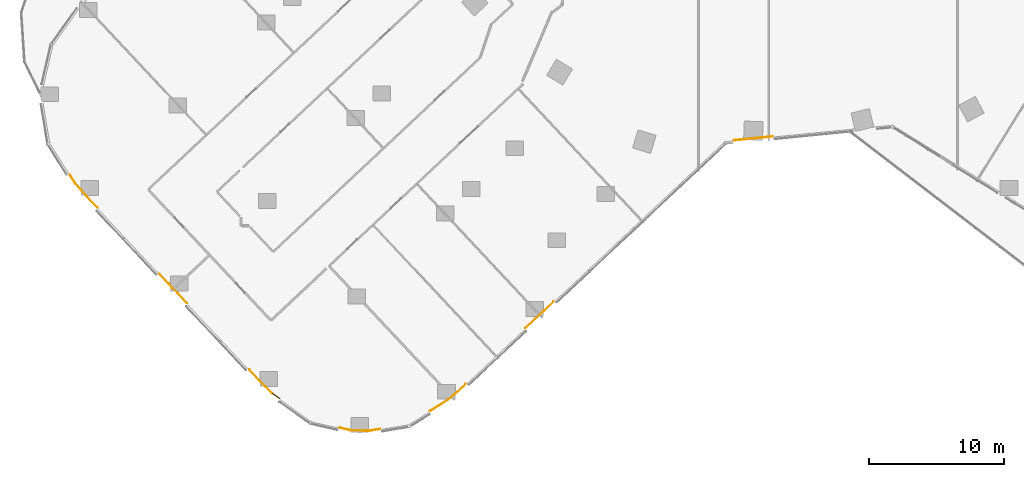
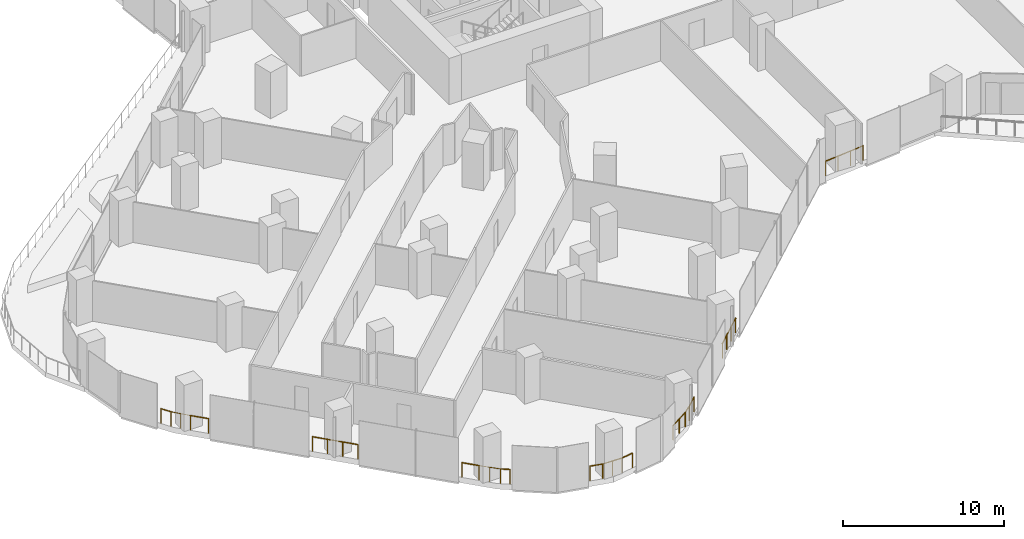
# One storey, part 30 of 34: 11 railings.
"""IFC4 building model written with IfcOpenShell, lengths in metres."""

from ifc_helpers import new_model, si_unit, direction, frame, origin, origin_2d, place, context, subcontext, project, spatial, circle, extrude, material, type_object, element, save


model = new_model("IFC4")

# Units and contexts
model_context = context("Model", 3, precision=1e-05, world=origin(), true_north=direction((0.0, 1.0)))
body_context = subcontext(model_context, "Body", "Model", "MODEL_VIEW")
ifc_project = project(units=[si_unit("LENGTHUNIT", "METRE"), si_unit("AREAUNIT", "SQUARE_METRE"), si_unit("VOLUMEUNIT", "CUBIC_METRE"), si_unit("PLANEANGLEUNIT", "RADIAN"), si_unit("MASSUNIT", "GRAM", prefix="KILO")], contexts=[model_context])

# Site, building, storey
site_placement = place(None, origin())
site = spatial("IfcSite", under=ifc_project, at=site_placement, CompositionType="ELEMENT")
building_placement = place(site_placement, origin())
building = spatial("IfcBuilding", under=site, at=building_placement, Name="Orlundy Tower", CompositionType="ELEMENT")
storey_placement = place(building_placement, frame((0.0, 0.0, 37.300048828125)))
storey = spatial("IfcBuildingStorey", under=building, at=storey_placement, Name="L07", CompositionType="ELEMENT", Elevation=37.300048828125)

# Railings
ifc_material = material(Name="Stainless steel bronze finish", Category="steel")
railing_type = type_object("IfcRailingType", Name="TG1 terrace guard", PredefinedType="GUARDRAIL", material=ifc_material)
railing_1_placement = place(storey_placement, frame((-22.451904296875, -48.426025390625, 0.0)))
element("IfcRailing", 1, at=railing_1_placement, inside=storey, type_object=railing_type, Name="Guard TG-L07-E01", PredefinedType="GUARDRAIL", context=body_context, shape_type="SweptSolid", body=[
    extrude(circle(Radius=0.02490234375, at=origin_2d()), frame((0.0, 0.0, 1.09521484375), z_axis=(-0.729328508424, -0.6841636696, 0.0), x_axis=(0.6841636696, -0.729328508424, 0.0)), (0.0, 0.0, 1.0), 1.021728515625),
    extrude(circle(Radius=0.02490234375, at=origin_2d()), frame((-0.7451171875, -0.698974609375, 1.09521484375), z_axis=(-0.773450277005, -0.633856978348, 0.0), x_axis=(0.633856978348, -0.773450277005, 0.0)), (0.0, 0.0, 1.0), 0.708251953125),
    extrude(circle(Radius=0.02490234375, at=origin_2d()), frame((-1.29296875, -1.14794921875, 1.09521484375), z_axis=(-0.848978661733, -0.528427130191, 0.0), x_axis=(0.528427130191, -0.848978661733, 0.0)), (0.0, 0.0, 1.0), 1.592529296875),
    extrude(circle(Radius=0.02001953125, at=origin_2d()), origin(), (0.0, 0.0, 1.0), 1.070068359375),
    extrude(circle(Radius=0.02001953125, at=origin_2d()), frame((-0.7451171875, -0.698974609375, 0.0)), (0.0, 0.0, 1.0), 1.070068359375),
    extrude(circle(Radius=0.02001953125, at=origin_2d()), frame((-1.29296875, -1.14794921875, 0.0)), (0.0, 0.0, 1.0), 1.070068359375),
    extrude(circle(Radius=0.02001953125, at=origin_2d()), frame((-1.968994140625, -1.56884765625, 0.0)), (0.0, 0.0, 1.0), 1.070068359375),
    extrude(circle(Radius=0.02001953125, at=origin_2d()), frame((-2.64501953125, -1.989501953125, 0.0)), (0.0, 0.0, 1.0), 1.070068359375),
])
railing_2_placement = place(storey_placement, frame((-28.797119140625, -51.7509765625, 0.0)))
element("IfcRailing", 2, at=railing_2_placement, inside=storey, type_object=railing_type, Name="Guard TG-L07-E06", PredefinedType="GUARDRAIL", context=body_context, shape_type="SweptSolid", body=[
    extrude(circle(Radius=0.02490234375, at=origin_2d()), frame((0.0, 0.0, 1.09521484375), z_axis=(-0.986488810157, -0.163828652667, 0.0), x_axis=(0.163828652667, -0.986488810157, 0.0)), (0.0, 0.0, 1.0), 0.8330078125),
    extrude(circle(Radius=0.02490234375, at=origin_2d()), frame((-0.82177734375, -0.136474609375, 1.09521484375), z_axis=(-0.999608170102, 0.027991181931, 0.0), x_axis=(-0.027991181931, -0.999608170102, 0.0)), (0.0, 0.0, 1.0), 1.360595703125),
    extrude(circle(Radius=0.02490234375, at=origin_2d()), frame((-2.181884765625, -0.098388671875, 1.09521484375), z_axis=(-0.974044120584, 0.226358236331, 0.0), x_axis=(-0.226358236331, -0.974044120584, 0.0)), (0.0, 0.0, 1.0), 0.832763671875),
    extrude(circle(Radius=0.02001953125, at=origin_2d()), origin(), (0.0, 0.0, 1.0), 1.070068359375),
    extrude(circle(Radius=0.02001953125, at=origin_2d()), frame((-0.82177734375, -0.136474609375, 0.0)), (0.0, 0.0, 1.0), 1.070068359375),
    extrude(circle(Radius=0.02001953125, at=origin_2d()), frame((-1.501953125, -0.117431640625, 0.0)), (0.0, 0.0, 1.0), 1.070068359375),
    extrude(circle(Radius=0.02001953125, at=origin_2d()), frame((-2.181884765625, -0.098388671875, 0.0)), (0.0, 0.0, 1.0), 1.070068359375),
    extrude(circle(Radius=0.02001953125, at=origin_2d()), frame((-2.992919921875, 0.090087890625, 0.0)), (0.0, 0.0, 1.0), 1.070068359375),
])
railing_3_placement = place(storey_placement, frame((-43.10693359375, -42.41796875, 0.0)))
element("IfcRailing", 3, at=railing_3_placement, inside=storey, type_object=railing_type, Name="Guard TG-L07-E010", PredefinedType="GUARDRAIL", context=body_context, shape_type="SweptSolid", body=[
    extrude(circle(Radius=0.02490234375, at=origin_2d()), frame((0.0, 0.0, 1.09521484375), z_axis=(-0.684155795313, 0.729335895003, 0.0), x_axis=(-0.729335895003, -0.684155795313, 0.0)), (0.0, 0.0, 1.0), 2.950439453125),
    extrude(circle(Radius=0.02001953125, at=origin_2d()), origin(), (0.0, 0.0, 1.0), 1.070068359375),
    extrude(circle(Radius=0.02001953125, at=origin_2d()), frame((-0.6728515625, 0.71728515625, 0.0)), (0.0, 0.0, 1.0), 1.070068359375),
    extrude(circle(Radius=0.02001953125, at=origin_2d()), frame((-1.345703125, 1.4345703125, 0.0)), (0.0, 0.0, 1.0), 1.070068359375),
    extrude(circle(Radius=0.02001953125, at=origin_2d()), frame((-2.0185546875, 2.15185546875, 0.0)), (0.0, 0.0, 1.0), 1.070068359375),
])
railing_4_placement = place(storey_placement, frame((0.275390625, -30.080078125, 0.0)))
element("IfcRailing", 4, at=railing_4_placement, inside=storey, type_object=railing_type, Name="Guard TG-L07-E012", PredefinedType="GUARDRAIL", context=body_context, shape_type="SweptSolid", body=[
    extrude(circle(Radius=0.02490234375, at=origin_2d()), frame((0.0, 0.0, 1.09521484375), z_axis=(-0.995119179181, -0.098680389272, 0.0), x_axis=(0.098680389272, -0.995119179181, 0.0)), (0.0, 0.0, 1.0), 2.87744140625),
    extrude(circle(Radius=0.02001953125, at=origin_2d()), origin(), (0.0, 0.0, 1.0), 1.070068359375),
    extrude(circle(Radius=0.02001953125, at=origin_2d()), frame((-0.954345703125, -0.0947265625, 0.0)), (0.0, 0.0, 1.0), 1.070068359375),
    extrude(circle(Radius=0.02001953125, at=origin_2d()), frame((-1.908935546875, -0.189208984375, 0.0)), (0.0, 0.0, 1.0), 1.070068359375),
    extrude(circle(Radius=0.02001953125, at=origin_2d()), frame((-2.86328125, -0.283935546875, 0.0)), (0.0, 0.0, 1.0), 1.070068359375),
])
railing_5_placement = place(storey_placement, frame((-15.930908203125, -42.309326171875, 0.0)))
element("IfcRailing", 5, at=railing_5_placement, inside=storey, type_object=railing_type, Name="Guard TG-L07-E013", PredefinedType="GUARDRAIL", context=body_context, shape_type="SweptSolid", body=[
    extrude(circle(Radius=0.02490234375, at=origin_2d()), frame((0.0, 0.0, 1.09521484375), z_axis=(-0.729350612959, -0.684140105078, 0.0), x_axis=(0.684140105078, -0.729350612959, 0.0)), (0.0, 0.0, 1.0), 2.856689453125),
    extrude(circle(Radius=0.02001953125, at=origin_2d()), origin(), (0.0, 0.0, 1.0), 1.070068359375),
    extrude(circle(Radius=0.02001953125, at=origin_2d()), frame((-0.694580078125, -0.6513671875, 0.0)), (0.0, 0.0, 1.0), 1.070068359375),
    extrude(circle(Radius=0.02001953125, at=origin_2d()), frame((-1.388916015625, -1.302978515625, 0.0)), (0.0, 0.0, 1.0), 1.070068359375),
    extrude(circle(Radius=0.02001953125, at=origin_2d()), frame((-2.08349609375, -1.954345703125, 0.0)), (0.0, 0.0, 1.0), 1.070068359375),
])
railing_6_placement = place(storey_placement, frame((-36.757080078125, -49.1318359375, 0.0)))
element("IfcRailing", 6, at=railing_6_placement, inside=storey, type_object=railing_type, Name="Guard TG-L07-E023", PredefinedType="GUARDRAIL", context=body_context, shape_type="SweptSolid", body=[
    extrude(circle(Radius=0.02490234375, at=origin_2d()), frame((0.0, 0.0, 1.09521484375), z_axis=(-0.703929614422, 0.710269736043, 0.0), x_axis=(-0.710269736043, -0.703929614422, 0.0)), (0.0, 0.0, 1.0), 1.38623046875),
    extrude(circle(Radius=0.02001953125, at=origin_2d()), origin(), (0.0, 0.0, 1.0), 1.070068359375),
    extrude(circle(Radius=0.02001953125, at=origin_2d()), frame((-0.48779296875, 0.4921875, 0.0)), (0.0, 0.0, 1.0), 1.070068359375),
    extrude(circle(Radius=0.02001953125, at=origin_2d()), frame((-0.975830078125, 0.984619140625, 0.0)), (0.0, 0.0, 1.0), 1.070068359375),
])
railing_7_placement = place(storey_placement, frame((-50.548828125, -34.48388671875, 0.0)))
element("IfcRailing", 7, at=railing_7_placement, inside=storey, type_object=railing_type, Name="Guard TG-L07-E024", PredefinedType="GUARDRAIL", context=body_context, shape_type="SweptSolid", body=[
    extrude(circle(Radius=0.02490234375, at=origin_2d()), frame((0.0, 0.0, 1.09521484375), z_axis=(-0.661711431746, 0.74975861522, 0.0), x_axis=(-0.74975861522, -0.661711431746, 0.0)), (0.0, 0.0, 1.0), 1.2587890625),
    extrude(circle(Radius=0.02001953125, at=origin_2d()), origin(), (0.0, 0.0, 1.0), 1.070068359375),
    extrude(circle(Radius=0.02001953125, at=origin_2d()), frame((-0.41650390625, 0.471923828125, 0.0)), (0.0, 0.0, 1.0), 1.070068359375),
    extrude(circle(Radius=0.02001953125, at=origin_2d()), frame((-0.8330078125, 0.94384765625, 0.0)), (0.0, 0.0, 1.0), 1.070068359375),
])
railing_8_placement = place(storey_placement, frame((-49.740234375, -35.34619140625, 0.0)))
element("IfcRailing", 8, at=railing_8_placement, inside=storey, type_object=railing_type, Name="Guard TG-L07-E025", PredefinedType="GUARDRAIL", context=body_context, shape_type="SweptSolid", body=[
    extrude(circle(Radius=0.02490234375, at=origin_2d()), frame((0.0, 0.0, 1.09521484375), z_axis=(-0.684023564307, 0.729459912177, 0.0), x_axis=(-0.729459912177, -0.684023564307, 0.0)), (0.0, 0.0, 1.0), 1.18212890625),
    extrude(circle(Radius=0.02001953125, at=origin_2d()), origin(), (0.0, 0.0, 1.0), 1.070068359375),
    extrude(circle(Radius=0.02001953125, at=origin_2d()), frame((-0.80859375, 0.8623046875, 0.0)), (0.0, 0.0, 1.0), 1.070068359375),
])
railing_9_placement = place(storey_placement, frame((-37.73291015625, -48.147216796875, 0.0)))
element("IfcRailing", 9, at=railing_9_placement, inside=storey, type_object=railing_type, Name="Guard TG-L07-E026", PredefinedType="GUARDRAIL", context=body_context, shape_type="SweptSolid", body=[
    extrude(circle(Radius=0.02490234375, at=origin_2d()), frame((0.0, 0.0, 1.09521484375), z_axis=(-0.684191187136, 0.72930269398, 0.0), x_axis=(-0.72930269398, -0.684191187136, 0.0)), (0.0, 0.0, 1.0), 1.10400390625),
    extrude(circle(Radius=0.02001953125, at=origin_2d()), origin(), (0.0, 0.0, 1.0), 1.070068359375),
    extrude(circle(Radius=0.02001953125, at=origin_2d()), frame((-0.75537109375, 0.80517578125, 0.0)), (0.0, 0.0, 1.0), 1.070068359375),
])
railing_10_placement = place(storey_placement, frame((-51.3818359375, -33.5400390625, 0.0)))
element("IfcRailing", 10, at=railing_10_placement, inside=storey, type_object=railing_type, Name="Guard TG-L07-E029", PredefinedType="GUARDRAIL", context=body_context, shape_type="SweptSolid", body=[
    extrude(circle(Radius=0.02490234375, at=origin_2d()), frame((0.0, 0.0, 1.09521484375), z_axis=(-0.528843469715, 0.848719379147, 0.0), x_axis=(-0.848719379147, -0.528843469715, 0.0)), (0.0, 0.0, 1.0), 0.721923828125),
    extrude(circle(Radius=0.02001953125, at=origin_2d()), origin(), (0.0, 0.0, 1.0), 1.070068359375),
    extrude(circle(Radius=0.02001953125, at=origin_2d()), frame((-0.3818359375, 0.61279296875, 0.0)), (0.0, 0.0, 1.0), 1.070068359375),
])
railing_11_placement = place(storey_placement, frame((-36.26025390625, -49.487548828125, 0.0)))
element("IfcRailing", 11, at=railing_11_placement, inside=storey, type_object=railing_type, Name="Guard TG-L07-E030", PredefinedType="GUARDRAIL", context=body_context, shape_type="SweptSolid", body=[
    extrude(circle(Radius=0.02490234375, at=origin_2d()), frame((0.0, 0.0, 1.09521484375), z_axis=(-0.813085046078, 0.582144919968, 0.0), x_axis=(-0.582144919968, -0.813085046078, 0.0)), (0.0, 0.0, 1.0), 0.611083984375),
    extrude(circle(Radius=0.02001953125, at=origin_2d()), origin(), (0.0, 0.0, 1.0), 1.070068359375),
    extrude(circle(Radius=0.02001953125, at=origin_2d()), frame((-0.496826171875, 0.355712890625, 0.0)), (0.0, 0.0, 1.0), 1.070068359375),
])

save(model, "model.ifc")
